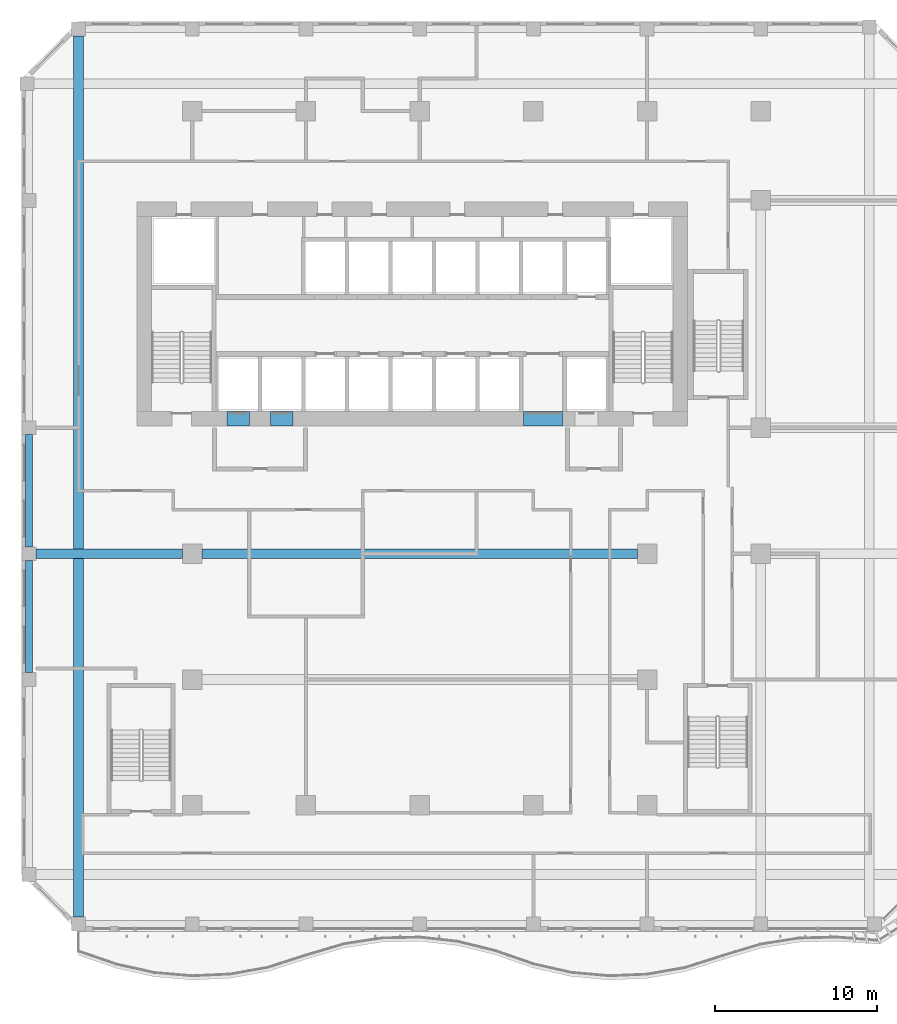
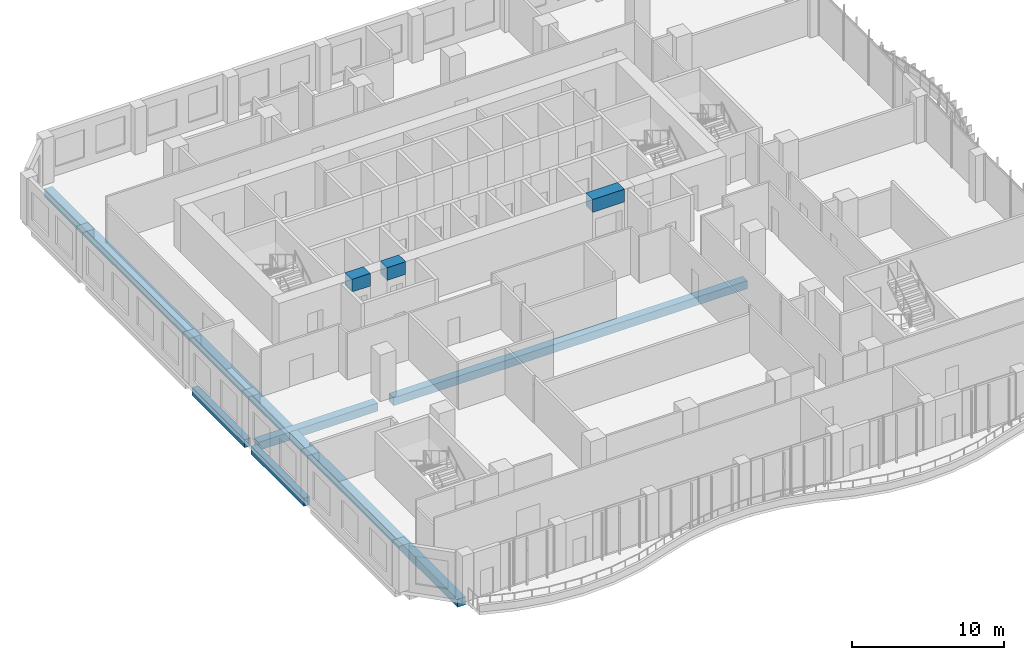
# One storey, part 5 of 26: 8 beams.
"""IFC4 building model written with IfcOpenShell, lengths in metres."""

from ifc_helpers import new_model, si_unit, direction, frame, origin, origin_2d, place, context, subcontext, project, spatial, rectangle, extrude, source, transform, mapped, material, material_profile, profile_set, type_object, element, save


model = new_model("IFC4")

# Units and contexts
model_context = context("Model", 3, precision=1e-05, world=origin(), true_north=direction((0.0, 1.0)))
body_context = subcontext(model_context, "Body", "Model", "MODEL_VIEW")
ifc_project = project(units=[si_unit("LENGTHUNIT", "METRE"), si_unit("AREAUNIT", "SQUARE_METRE"), si_unit("VOLUMEUNIT", "CUBIC_METRE"), si_unit("PLANEANGLEUNIT", "RADIAN"), si_unit("MASSUNIT", "GRAM", prefix="KILO")], contexts=[model_context])

# Site, building, storey
site_placement = place(None, origin())
site = spatial("IfcSite", under=ifc_project, at=site_placement, CompositionType="ELEMENT")
building_placement = place(site_placement, origin())
building = spatial("IfcBuilding", under=site, at=building_placement, Name="Kilnfold Tower and Market Hall", CompositionType="ELEMENT")
storey_placement = place(building_placement, frame((0.0, 0.0, 104.60009765625)))
storey = spatial("IfcBuildingStorey", under=building, at=storey_placement, Name="L24", CompositionType="ELEMENT", Elevation=104.60009765625)

# Beams
ifc_material_1 = material(Name="Concrete C70", Category="concrete")
ifc_material_profile_1 = material_profile(ifc_material_1, rectangle(XDim=0.89990234375, YDim=1.02001953125, at=origin_2d()), Name="RC 900x1020")
ifc_profile_set_1 = profile_set([ifc_material_profile_1], Name="Concrete C70")
beam_type_1 = type_object("IfcBeamType", Name="COUPLING BEAM 900X1020 C70", PredefinedType="BEAM", material=ifc_profile_set_1)
shared_shape_1 = source(origin(), body_context, "Body", "SweptSolid", [
    extrude(rectangle(XDim=0.89990234375, YDim=1.02001953125, at=origin_2d()), origin(), (0.0, 0.0, 1.0), 1.400146484375),
])
beam_1_placement = place(storey_placement, frame((-10.3701171875, 8.550048828125, 3.2099609375), z_axis=(1.0, 0.0, 0.0), x_axis=(0.0, 1.0, 0.0)))
element("IfcBeam", 1, at=beam_1_placement, inside=storey, type_object=beam_type_1, Name="Coupling beam CB1020-70-CORE.40", PredefinedType="BEAM", context=body_context, shape_type="MappedRepresentation", body=[
    mapped(shared_shape_1, transform((0.0, 0.0, 0.0))),
])
shared_shape_2 = source(origin(), body_context, "Body", "SweptSolid", [
    extrude(rectangle(XDim=0.89990234375, YDim=1.02001953125, at=origin_2d()), origin(), (0.0, 0.0, 1.0), 1.39990234375),
])
beam_2_placement = place(storey_placement, frame((-7.68994140625, 8.550048828125, 3.2099609375), z_axis=(1.0, 0.0, 0.0), x_axis=(0.0, 1.0, 0.0)))
element("IfcBeam", 2, at=beam_2_placement, inside=storey, type_object=beam_type_1, Name="Coupling beam CB1020-70-CORE.41", PredefinedType="BEAM", context=body_context, shape_type="MappedRepresentation", body=[
    mapped(shared_shape_2, transform((0.0, 0.0, 0.0))),
])
shared_shape_3 = source(origin(), body_context, "Body", "SweptSolid", [
    extrude(rectangle(XDim=0.89990234375, YDim=1.02001953125, at=origin_2d()), origin(), (0.0, 0.0, 1.0), 2.400146484375),
])
beam_3_placement = place(storey_placement, frame((7.889892578125, 8.550048828125, 3.2099609375), z_axis=(1.0, 0.0, 0.0), x_axis=(0.0, 1.0, 0.0)))
element("IfcBeam", 3, at=beam_3_placement, inside=storey, type_object=beam_type_1, Name="Coupling beam CB1020-70-CORE.42", PredefinedType="BEAM", context=body_context, shape_type="MappedRepresentation", body=[
    mapped(shared_shape_3, transform((0.0, 0.0, 0.0))),
])
ifc_material_2 = material(Name="Concrete C45", Category="concrete")
ifc_material_profile_2 = material_profile(ifc_material_2, rectangle(XDim=0.60009765625, YDim=0.64990234375, at=origin_2d()), Name="RC 600x650")
ifc_profile_set_2 = profile_set([ifc_material_profile_2], Name="Concrete C45")
beam_type_2 = type_object("IfcBeamType", Name="BEAM 600X650 C45", PredefinedType="BEAM", material=ifc_profile_set_2)
shared_shape_4 = source(origin(), body_context, "Body", "SweptSolid", [
    extrude(rectangle(XDim=0.60009765625, YDim=0.64990234375, at=origin_2d()), origin(), (0.0, 0.0, 1.0), 26.7998046875),
])
beam_4_placement = place(storey_placement, frame((-11.89990234375, 0.25, -0.60498046875), z_axis=(1.0, 0.0, 0.0), x_axis=(0.0, 1.0, 0.0)))
element("IfcBeam", 4, at=beam_4_placement, inside=storey, type_object=beam_type_2, Name="Beam BB650-B3.62", PredefinedType="BEAM", context=body_context, shape_type="MappedRepresentation", body=[
    mapped(shared_shape_4, transform((0.0, 0.0, 0.0))),
])
shared_shape_5 = source(origin(), body_context, "Body", "SweptSolid", [
    extrude(rectangle(XDim=0.60009765625, YDim=0.64990234375, at=origin_2d()), origin(), (0.0, 0.0, 1.0), 9.02490234375),
])
beam_5_placement = place(storey_placement, frame((-22.125, 0.25, -0.60498046875), z_axis=(1.0, 0.0, 0.0), x_axis=(0.0, 1.0, 0.0)))
element("IfcBeam", 5, at=beam_5_placement, inside=storey, type_object=beam_type_2, Name="Beam BB650-B3.61", PredefinedType="BEAM", context=body_context, shape_type="MappedRepresentation", body=[
    mapped(shared_shape_5, transform((0.0, 0.0, 0.0))),
])
ifc_material_3 = material(Name="Concrete C45", Category="concrete")
ifc_material_profile_3 = material_profile(ifc_material_3, rectangle(XDim=0.449951171875, YDim=0.64990234375, at=origin_2d()), Name="RC 450x650")
ifc_profile_set_3 = profile_set([ifc_material_profile_3], Name="Concrete C45")
beam_type_3 = type_object("IfcBeamType", Name="EDGE BEAM 450X650 C45", PredefinedType="BEAM", material=ifc_profile_set_3)
shared_shape_6 = source(origin(), body_context, "Body", "SweptSolid", [
    extrude(rectangle(XDim=0.449951171875, YDim=0.64990234375, at=origin_2d()), origin(), (0.0, 0.0, 1.0), 6.89990234375),
])
for number, where, z_axis, x_axis, name in (
    (6, (-22.550048828125, -7.074951171875, -0.60498046875), (0.0, 1.0, 0.0), (-1.0, 0.0, 0.0), "Beam EB650-B3.75"),
    (7, (-22.550048828125, 0.675048828125, -0.60498046875), (0.0, 1.0, 0.0), (-1.0, 0.0, 0.0), "Beam EB650-B3.76"),
):
    element("IfcBeam", number, at=place(storey_placement, frame(where, z_axis=z_axis, x_axis=x_axis)), inside=storey, type_object=beam_type_3, Name=name, PredefinedType="BEAM", context=body_context, shape_type="MappedRepresentation", body=[
        mapped(shared_shape_6, transform((0.0, 0.0, 0.0))),
    ])
shared_shape_7 = source(origin(), body_context, "Body", "SweptSolid", [
    extrude(rectangle(XDim=0.60009765625, YDim=0.64990234375, at=origin_2d()), origin(), (0.0, 0.0, 1.0), 54.25),
])
beam_6_placement = place(storey_placement, frame((-19.5, -22.125, -0.60498046875), z_axis=(0.0, 1.0, 0.0), x_axis=(-1.0, 0.0, 0.0)))
element("IfcBeam", 8, at=beam_6_placement, inside=storey, type_object=beam_type_2, Name="Beam BB650-B3.79", PredefinedType="BEAM", context=body_context, shape_type="MappedRepresentation", body=[
    mapped(shared_shape_7, transform((0.0, 0.0, 0.0))),
])

save(model, "model.ifc")
